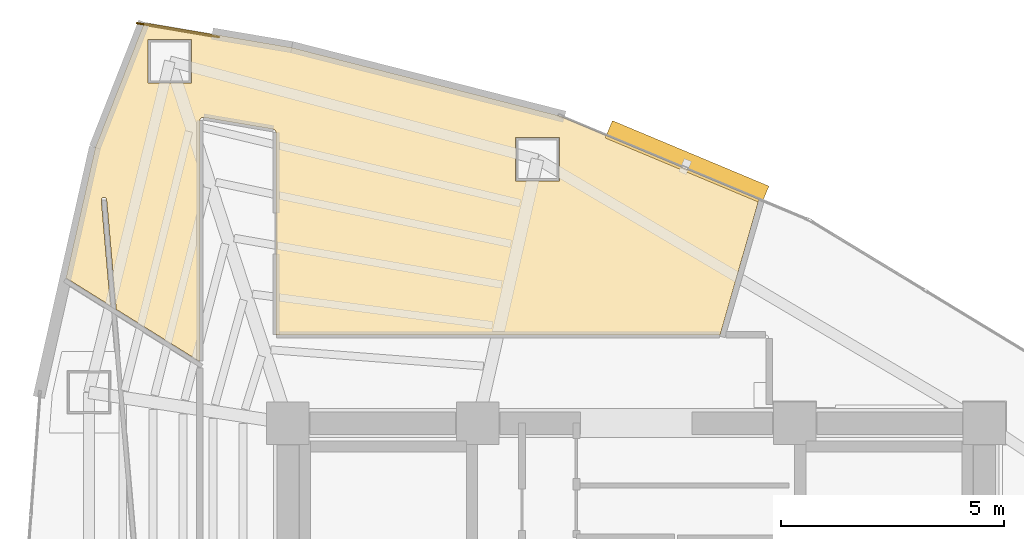
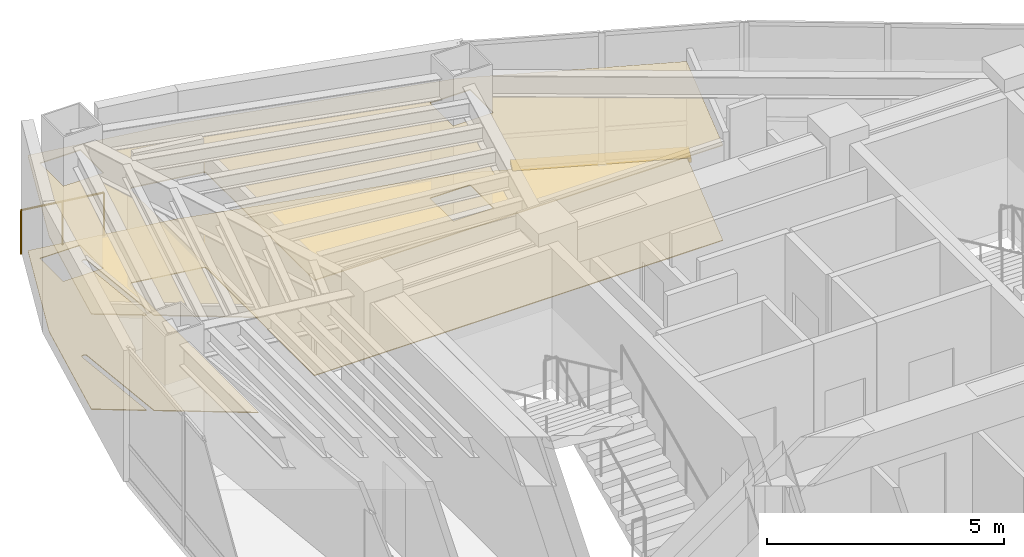
# One storey, part 16 of 16: 2 coverings, 1 railing, 1 shading device.
"""IFC4 building model written with IfcOpenShell, lengths in metres."""

from ifc_helpers import new_model, si_unit, direction, frame, origin, origin_2d, place, context, subcontext, project, spatial, polyline, rectangle, circle, outline, extrude, material, layer, layer_set, type_object, element, save


model = new_model("IFC4")

# Units and contexts
model_context = context("Model", 3, precision=1e-05, world=origin(), true_north=direction((0.0, 1.0)))
body_context = subcontext(model_context, "Body", "Model", "MODEL_VIEW")
ifc_project = project(units=[si_unit("LENGTHUNIT", "METRE"), si_unit("AREAUNIT", "SQUARE_METRE"), si_unit("VOLUMEUNIT", "CUBIC_METRE"), si_unit("PLANEANGLEUNIT", "RADIAN"), si_unit("MASSUNIT", "GRAM", prefix="KILO")], contexts=[model_context])

# Site, building, storey
site_placement = place(None, origin())
site = spatial("IfcSite", under=ifc_project, at=site_placement, CompositionType="ELEMENT")
building_placement = place(site_placement, origin())
building = spatial("IfcBuilding", under=site, at=building_placement, Name="Menara Vayukalpa", CompositionType="ELEMENT")
storey_placement = place(building_placement, frame((0.0, 0.0, 210.1201171875)))
storey = spatial("IfcBuildingStorey", under=building, at=storey_placement, Name="L53", CompositionType="ELEMENT", Elevation=210.1201171875)

# Coverings
ifc_material_1 = material(Name="Mineral Fibre Acoustic Ceiling Tile", Category="masonry")
ifc_layer_1 = layer(ifc_material_1, 0.02490234375)
ifc_layer_set_1 = layer_set([ifc_layer_1], Name="Mineral Fibre Acoustic Ceiling Tile")
covering_type_1 = type_object("IfcCoveringType", Name="COV-CLG1", PredefinedType="CEILING", material=ifc_layer_set_1)
covering_1_placement = place(storey_placement, frame((0.0, 0.0, 2.449951171875)))
element("IfcCovering", 1, at=covering_1_placement, inside=storey, type_object=covering_type_1, Name="L53 Visitor Reception Lounge Acoustic Ceiling", PredefinedType="CEILING", context=body_context, shape_type="SweptSolid", body=[
    extrude(outline(polyline([(13.489013671875, 32.976318359375), (14.583251953125, 35.762451171875), (14.58349609375, 35.76318359375), (14.583984375, 35.76416015625), (14.584716796875, 35.764892578125), (14.585205078125, 35.765625), (14.5859375, 35.766357421875), (14.5869140625, 35.766845703125), (14.587646484375, 35.767333984375), (14.58837890625, 35.767822265625), (14.58935546875, 35.768310546875), (14.59033203125, 35.7685546875), (14.59130859375, 35.7685546875), (14.59228515625, 35.768798828125), (14.59326171875, 35.768798828125), (14.59423828125, 35.7685546875), (17.879150390625, 35.2109375), (17.8798828125, 35.210693359375), (23.884765625, 33.67919921875), (23.885986328125, 33.6787109375), (28.3427734375, 31.814697265625), (28.343505859375, 31.814208984375), (28.344482421875, 31.813720703125), (28.34521484375, 31.81298828125), (28.345947265625, 31.8125), (28.346435546875, 31.811767578125), (28.34716796875, 31.81103515625), (28.34765625, 31.810302734375), (28.347900390625, 31.809326171875), (28.348388671875, 31.808349609375), (28.3486328125, 31.807373046875), (28.3486328125, 31.806396484375), (28.348876953125, 31.805419921875), (28.348876953125, 31.804443359375), (28.3486328125, 31.8037109375), (28.348388671875, 31.802490234375), (27.48095703125, 28.777099609375), (27.480712890625, 28.7763671875), (27.480224609375, 28.775390625), (27.479736328125, 28.7744140625), (27.47900390625, 28.773681640625), (27.478515625, 28.77294921875), (27.477783203125, 28.772216796875), (27.476806640625, 28.771728515625), (27.47607421875, 28.771240234375), (27.47509765625, 28.770751953125), (27.47412109375, 28.7705078125), (27.473388671875, 28.770263671875), (27.472412109375, 28.77001953125), (27.47119140625, 28.77001953125), (17.5400390625, 28.77001953125), (17.5390625, 28.77001953125), (17.5380859375, 28.770263671875), (17.537109375, 28.7705078125), (17.5361328125, 28.770751953125), (17.535400390625, 28.771240234375), (17.534423828125, 28.771728515625), (17.53369140625, 28.772216796875), (17.532958984375, 28.77294921875), (17.5322265625, 28.773681640625), (17.53173828125, 28.7744140625), (17.53125, 28.775390625), (17.53076171875, 28.776123046875), (17.530517578125, 28.777099609375), (17.5302734375, 28.778076171875), (17.530029296875, 28.779052734375), (17.530029296875, 28.780029296875), (17.530029296875, 33.314208984375), (17.529541015625, 33.3212890625), (17.528564453125, 33.328125), (17.52685546875, 33.335205078125), (17.5244140625, 33.341552734375), (17.521484375, 33.347900390625), (17.517822265625, 33.353759765625), (17.513427734375, 33.359375), (17.508544921875, 33.364501953125), (17.50341796875, 33.369140625), (17.497802734375, 33.373291015625), (17.49169921875, 33.376708984375), (17.485107421875, 33.37939453125), (17.478515625, 33.3818359375), (17.471435546875, 33.38330078125), (15.912109375, 33.648193359375), (15.905029296875, 33.64892578125), (15.898193359375, 33.649169921875), (15.8916015625, 33.648681640625), (15.884765625, 33.6474609375), (15.87841796875, 33.645751953125), (15.8720703125, 33.643310546875), (15.865966796875, 33.64013671875), (15.860107421875, 33.63671875), (15.854736328125, 33.632568359375), (15.849853515625, 33.6279296875), (15.845458984375, 33.623046875), (15.841552734375, 33.617431640625), (15.837890625, 33.611572265625), (15.835205078125, 33.60546875), (15.8330078125, 33.59912109375), (15.831298828125, 33.592529296875), (15.830322265625, 33.585693359375), (15.830078125, 33.578857421875), (15.830078125, 28.19384765625), (15.830078125, 28.19287109375), (15.829833984375, 28.19189453125), (15.82958984375, 28.19091796875), (15.829345703125, 28.18994140625), (15.828857421875, 28.189208984375), (15.828369140625, 28.188232421875), (15.827880859375, 28.1875), (15.8271484375, 28.186767578125), (15.826416015625, 28.18603515625), (15.82568359375, 28.185546875), (15.82470703125, 28.18505859375), (15.823974609375, 28.1845703125), (15.822998046875, 28.184326171875), (15.822021484375, 28.18408203125), (15.8212890625, 28.183837890625), (15.8203125, 28.183837890625), (15.8193359375, 28.183837890625), (15.818359375, 28.183837890625), (15.8173828125, 28.18408203125), (15.81640625, 28.1845703125), (15.8154296875, 28.184814453125), (15.814697265625, 28.185302734375), (13.958251953125, 29.34521484375), (13.95751953125, 29.345947265625), (13.956787109375, 29.3466796875), (13.9560546875, 29.347412109375), (13.955322265625, 29.34814453125), (13.954833984375, 29.34912109375), (13.954345703125, 29.349853515625), (13.9541015625, 29.350830078125), (13.953857421875, 29.351806640625), (13.95361328125, 29.352783203125), (13.739501953125, 31.7998046875), (13.73876953125, 31.805908203125), (13.7373046875, 31.811767578125), (13.7353515625, 31.8173828125), (13.73291015625, 31.822509765625), (13.72998046875, 31.82763671875), (13.7265625, 31.83251953125), (13.72265625, 31.8369140625), (13.718505859375, 31.8408203125), (13.713623046875, 31.844482421875), (13.708740234375, 31.847412109375), (13.703369140625, 31.85009765625), (13.69775390625, 31.85205078125), (13.692138671875, 31.853515625), (13.686279296875, 31.8544921875), (13.680419921875, 31.85498046875), (13.674560546875, 31.854736328125), (13.668701171875, 31.85400390625), (13.6630859375, 31.8525390625), (13.657470703125, 31.8505859375), (13.652099609375, 31.84814453125), (13.64697265625, 31.84521484375), (13.64208984375, 31.841796875), (13.6376953125, 31.837890625), (13.6337890625, 31.83349609375), (13.630126953125, 31.82861328125), (13.627197265625, 31.82373046875), (13.62451171875, 31.818603515625), (13.62255859375, 31.81298828125), (13.62109375, 31.807373046875), (13.6201171875, 31.801513671875), (13.619873046875, 31.795654296875), (13.6201171875, 31.78955078125), (13.824951171875, 29.447509765625), (13.824951171875, 29.446533203125), (13.824951171875, 29.445556640625), (13.82470703125, 29.444580078125), (13.82470703125, 29.443603515625), (13.82421875, 29.44287109375), (13.82373046875, 29.44189453125), (13.8232421875, 29.441162109375), (13.82275390625, 29.440185546875), (13.822021484375, 29.439697265625), (13.8212890625, 29.43896484375), (13.820556640625, 29.438232421875), (13.81982421875, 29.437744140625), (13.81884765625, 29.4375), (13.818115234375, 29.43701171875), (13.817138671875, 29.436767578125), (13.816162109375, 29.436767578125), (13.815185546875, 29.4365234375), (13.814208984375, 29.4365234375), (13.813232421875, 29.436767578125), (13.812255859375, 29.43701171875), (13.811279296875, 29.437255859375), (13.810546875, 29.4375), (13.809814453125, 29.43798828125), (12.83642578125, 30.04638671875), (12.835693359375, 30.046875), (12.8349609375, 30.047607421875), (12.834228515625, 30.048095703125), (12.833740234375, 30.048828125), (12.833251953125, 30.0498046875), (12.832763671875, 30.050537109375), (12.83251953125, 30.051513671875), (12.83203125, 30.05224609375), (12.831787109375, 30.05322265625), (12.831787109375, 30.05419921875), (12.831787109375, 30.05517578125), (12.831787109375, 30.05615234375), (12.83203125, 30.056884765625), (13.488525390625, 32.974853515625), (13.48876953125, 32.9755859375), (13.489013671875, 32.976318359375)]), holes=[polyline([(15.644775390625, 35.392578125), (14.664794921875, 35.392578125), (14.664794921875, 34.41259765625), (15.644775390625, 34.41259765625), (15.644775390625, 35.392578125)]), polyline([(23.87939453125, 33.198486328125), (22.8994140625, 33.198486328125), (22.8994140625, 32.218505859375), (23.87939453125, 32.218505859375), (23.87939453125, 33.198486328125)])]), origin(), (0.0, 0.0, 1.0), 0.02490234375),
])
ifc_material_2 = material(Name="Porcelain Stoneware Floor Tile", Category="masonry")
ifc_layer_2 = layer(ifc_material_2, 0.02001953125)
ifc_layer_set_2 = layer_set([ifc_layer_2], Name="Porcelain Stoneware Floor Tile")
covering_type_2 = type_object("IfcCoveringType", Name="COV-FLR1", PredefinedType="FLOORING", material=ifc_layer_set_2)
covering_2_placement = place(storey_placement, origin())
element("IfcCovering", 2, at=covering_2_placement, inside=storey, type_object=covering_type_2, Name="L53 Visitor Reception Lounge Porcelain Flooring", PredefinedType="FLOORING", context=body_context, shape_type="SweptSolid", body=[
    extrude(outline(polyline([(13.489013671875, 32.976318359375), (14.583251953125, 35.762451171875), (14.58349609375, 35.76318359375), (14.583984375, 35.76416015625), (14.584716796875, 35.764892578125), (14.585205078125, 35.765625), (14.5859375, 35.766357421875), (14.5869140625, 35.766845703125), (14.587646484375, 35.767333984375), (14.58837890625, 35.767822265625), (14.58935546875, 35.768310546875), (14.59033203125, 35.7685546875), (14.59130859375, 35.7685546875), (14.59228515625, 35.768798828125), (14.59326171875, 35.768798828125), (14.59423828125, 35.7685546875), (17.879150390625, 35.2109375), (17.8798828125, 35.210693359375), (23.884765625, 33.67919921875), (23.885986328125, 33.6787109375), (28.3427734375, 31.814697265625), (28.343505859375, 31.814208984375), (28.344482421875, 31.813720703125), (28.34521484375, 31.81298828125), (28.345947265625, 31.8125), (28.346435546875, 31.811767578125), (28.34716796875, 31.81103515625), (28.34765625, 31.810302734375), (28.347900390625, 31.809326171875), (28.348388671875, 31.808349609375), (28.3486328125, 31.807373046875), (28.3486328125, 31.806396484375), (28.348876953125, 31.805419921875), (28.348876953125, 31.804443359375), (28.3486328125, 31.8037109375), (28.348388671875, 31.802490234375), (27.48095703125, 28.777099609375), (27.480712890625, 28.7763671875), (27.480224609375, 28.775390625), (27.479736328125, 28.7744140625), (27.47900390625, 28.773681640625), (27.478515625, 28.77294921875), (27.477783203125, 28.772216796875), (27.476806640625, 28.771728515625), (27.47607421875, 28.771240234375), (27.47509765625, 28.770751953125), (27.47412109375, 28.7705078125), (27.473388671875, 28.770263671875), (27.472412109375, 28.77001953125), (27.47119140625, 28.77001953125), (17.5400390625, 28.77001953125), (17.5390625, 28.77001953125), (17.5380859375, 28.770263671875), (17.537109375, 28.7705078125), (17.5361328125, 28.770751953125), (17.535400390625, 28.771240234375), (17.534423828125, 28.771728515625), (17.53369140625, 28.772216796875), (17.532958984375, 28.77294921875), (17.5322265625, 28.773681640625), (17.53173828125, 28.7744140625), (17.53125, 28.775390625), (17.53076171875, 28.776123046875), (17.530517578125, 28.777099609375), (17.5302734375, 28.778076171875), (17.530029296875, 28.779052734375), (17.530029296875, 28.780029296875), (17.530029296875, 33.314208984375), (17.529541015625, 33.3212890625), (17.528564453125, 33.328125), (17.52685546875, 33.335205078125), (17.5244140625, 33.341552734375), (17.521484375, 33.347900390625), (17.517822265625, 33.353759765625), (17.513427734375, 33.359375), (17.508544921875, 33.364501953125), (17.50341796875, 33.369140625), (17.497802734375, 33.373291015625), (17.49169921875, 33.376708984375), (17.485107421875, 33.37939453125), (17.478515625, 33.3818359375), (17.471435546875, 33.38330078125), (15.912109375, 33.648193359375), (15.905029296875, 33.64892578125), (15.898193359375, 33.649169921875), (15.8916015625, 33.648681640625), (15.884765625, 33.6474609375), (15.87841796875, 33.645751953125), (15.8720703125, 33.643310546875), (15.865966796875, 33.64013671875), (15.860107421875, 33.63671875), (15.854736328125, 33.632568359375), (15.849853515625, 33.6279296875), (15.845458984375, 33.623046875), (15.841552734375, 33.617431640625), (15.837890625, 33.611572265625), (15.835205078125, 33.60546875), (15.8330078125, 33.59912109375), (15.831298828125, 33.592529296875), (15.830322265625, 33.585693359375), (15.830078125, 33.578857421875), (15.830078125, 28.19384765625), (15.830078125, 28.19287109375), (15.829833984375, 28.19189453125), (15.82958984375, 28.19091796875), (15.829345703125, 28.18994140625), (15.828857421875, 28.189208984375), (15.828369140625, 28.188232421875), (15.827880859375, 28.1875), (15.8271484375, 28.186767578125), (15.826416015625, 28.18603515625), (15.82568359375, 28.185546875), (15.82470703125, 28.18505859375), (15.823974609375, 28.1845703125), (15.822998046875, 28.184326171875), (15.822021484375, 28.18408203125), (15.8212890625, 28.183837890625), (15.8203125, 28.183837890625), (15.8193359375, 28.183837890625), (15.818359375, 28.183837890625), (15.8173828125, 28.18408203125), (15.81640625, 28.1845703125), (15.8154296875, 28.184814453125), (15.814697265625, 28.185302734375), (13.958251953125, 29.34521484375), (13.95751953125, 29.345947265625), (13.956787109375, 29.3466796875), (13.9560546875, 29.347412109375), (13.955322265625, 29.34814453125), (13.954833984375, 29.34912109375), (13.954345703125, 29.349853515625), (13.9541015625, 29.350830078125), (13.953857421875, 29.351806640625), (13.95361328125, 29.352783203125), (13.739501953125, 31.7998046875), (13.73876953125, 31.805908203125), (13.7373046875, 31.811767578125), (13.7353515625, 31.8173828125), (13.73291015625, 31.822509765625), (13.72998046875, 31.82763671875), (13.7265625, 31.83251953125), (13.72265625, 31.8369140625), (13.718505859375, 31.8408203125), (13.713623046875, 31.844482421875), (13.708740234375, 31.847412109375), (13.703369140625, 31.85009765625), (13.69775390625, 31.85205078125), (13.692138671875, 31.853515625), (13.686279296875, 31.8544921875), (13.680419921875, 31.85498046875), (13.674560546875, 31.854736328125), (13.668701171875, 31.85400390625), (13.6630859375, 31.8525390625), (13.657470703125, 31.8505859375), (13.652099609375, 31.84814453125), (13.64697265625, 31.84521484375), (13.64208984375, 31.841796875), (13.6376953125, 31.837890625), (13.6337890625, 31.83349609375), (13.630126953125, 31.82861328125), (13.627197265625, 31.82373046875), (13.62451171875, 31.818603515625), (13.62255859375, 31.81298828125), (13.62109375, 31.807373046875), (13.6201171875, 31.801513671875), (13.619873046875, 31.795654296875), (13.6201171875, 31.78955078125), (13.824951171875, 29.447509765625), (13.824951171875, 29.446533203125), (13.824951171875, 29.445556640625), (13.82470703125, 29.444580078125), (13.82470703125, 29.443603515625), (13.82421875, 29.44287109375), (13.82373046875, 29.44189453125), (13.8232421875, 29.441162109375), (13.82275390625, 29.440185546875), (13.822021484375, 29.439697265625), (13.8212890625, 29.43896484375), (13.820556640625, 29.438232421875), (13.81982421875, 29.437744140625), (13.81884765625, 29.4375), (13.818115234375, 29.43701171875), (13.817138671875, 29.436767578125), (13.816162109375, 29.436767578125), (13.815185546875, 29.4365234375), (13.814208984375, 29.4365234375), (13.813232421875, 29.436767578125), (13.812255859375, 29.43701171875), (13.811279296875, 29.437255859375), (13.810546875, 29.4375), (13.809814453125, 29.43798828125), (12.83642578125, 30.04638671875), (12.835693359375, 30.046875), (12.8349609375, 30.047607421875), (12.834228515625, 30.048095703125), (12.833740234375, 30.048828125), (12.833251953125, 30.0498046875), (12.832763671875, 30.050537109375), (12.83251953125, 30.051513671875), (12.83203125, 30.05224609375), (12.831787109375, 30.05322265625), (12.831787109375, 30.05419921875), (12.831787109375, 30.05517578125), (12.831787109375, 30.05615234375), (12.83203125, 30.056884765625), (13.488525390625, 32.974853515625), (13.48876953125, 32.9755859375), (13.489013671875, 32.976318359375)]), holes=[polyline([(15.644775390625, 35.392578125), (14.664794921875, 35.392578125), (14.664794921875, 34.41259765625), (15.644775390625, 34.41259765625), (15.644775390625, 35.392578125)]), polyline([(23.87939453125, 33.198486328125), (22.8994140625, 33.198486328125), (22.8994140625, 32.218505859375), (23.87939453125, 32.218505859375), (23.87939453125, 33.198486328125)])]), origin(), (0.0, 0.0, 1.0), 0.019775390625),
])

# Railing
ifc_material_3 = material(Name="Laminated Glass and Stainless Steel 316 Guardrail", Category="steel")
railing_type = type_object("IfcRailingType", Name="RLG-EXT115", PredefinedType="GUARDRAIL", material=ifc_material_3)
railing_placement = place(storey_placement, frame((16.256103515625, 35.44580078125, 0.0)))
element("IfcRailing", 3, at=railing_placement, inside=storey, type_object=railing_type, Name="L53 Column Corner Spandrel Guardrail 07-1", PredefinedType="GUARDRAIL", context=body_context, shape_type="SweptSolid", body=[
    extrude(circle(Radius=0.02392578125, at=origin_2d()), frame((0.0, 0.0, 1.1259765625), z_axis=(-0.985895107684, 0.167364382844, 0.0), x_axis=(-0.167364382844, -0.985895107684, 0.0)), (0.0, 0.0, 1.0), 1.86865234375),
    extrude(circle(Radius=0.02099609375, at=origin_2d()), origin(), (0.0, 0.0, 1.0), 1.101806640625),
    extrude(circle(Radius=0.02099609375, at=origin_2d()), frame((-0.921142578125, 0.15625, 0.0)), (0.0, 0.0, 1.0), 1.101806640625),
    extrude(circle(Radius=0.02099609375, at=origin_2d()), frame((-1.84228515625, 0.312744140625, 0.0)), (0.0, 0.0, 1.0), 1.101806640625),
])

# Shading device
ifc_material_4 = material(Name="Glazed Terracotta Ceramic Baguette Extrusion", Category="masonry")
ifc_layer_3 = layer(ifc_material_4, 0.1201171875)
ifc_layer_set_3 = layer_set([ifc_layer_3], Name="Glazed Terracotta Ceramic Baguette Extrusion")
shading_device_type = type_object("IfcShadingDeviceType", Name="SHD-SS1", PredefinedType="USERDEFINED", material=ifc_layer_set_3)
shading_device_placement = place(storey_placement, frame((26.740234375, 32.6474609375, -0.10009765625), z_axis=(0.0, 0.0, 1.0), x_axis=(-0.922538089456, 0.385906042324, 0.0)))
element("IfcShadingDevice", 4, at=shading_device_placement, inside=storey, type_object=shading_device_type, Name="L53 Horizontal Terracotta Sunshade Band 05", ObjectType="SUNSHADE", PredefinedType="USERDEFINED", context=body_context, shape_type="SweptSolid", body=[
    extrude(rectangle(XDim=3.800048828125, YDim=0.419921875, at=origin_2d()), origin(), (0.0, 0.0, 1.0), 0.1201171875),
])

save(model, "model.ifc")
